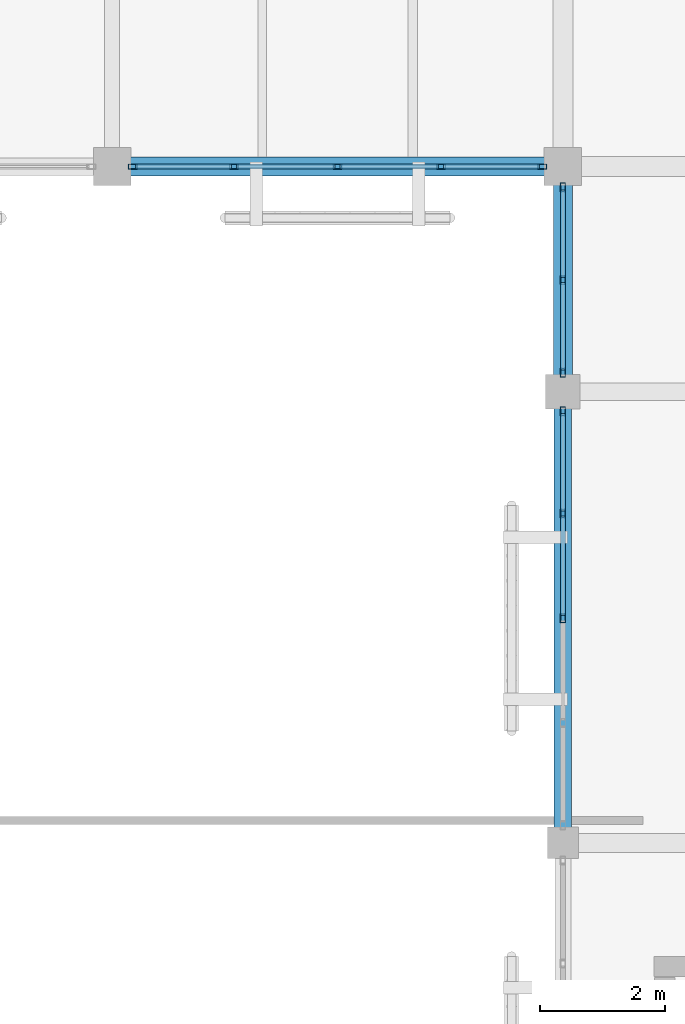
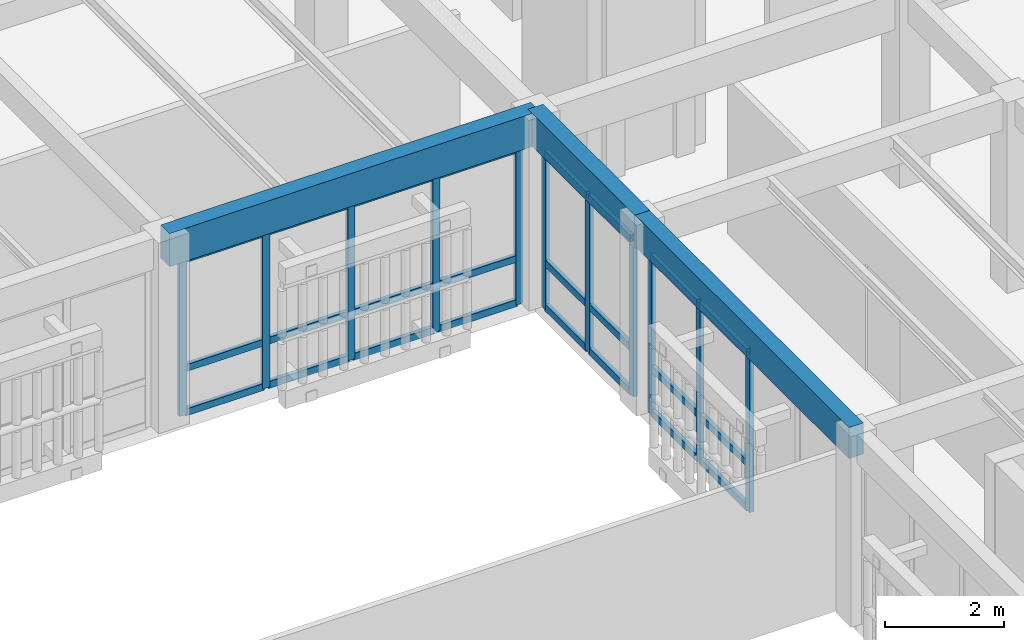
# One storey, part 109 of 170: 35 members, 3 beams, 3 elements without a shape of their own.
"""IFC4 building model written with IfcOpenShell, lengths in metres."""

from ifc_helpers import new_model, si_unit, direction, frame, origin, origin_2d, place, context, subcontext, project, spatial, rectangle, hollow_rectangle, extrude, material, layer, layer_set, material_profile, profile_set, type_object, element, aggregate, save


model = new_model("IFC4")

# Units and contexts
model_context = context("Model", 3, precision=1e-05, world=origin(), true_north=direction((0.0, 1.0)))
body_context = subcontext(model_context, "Body", "Model", "MODEL_VIEW")
ifc_project = project(units=[si_unit("LENGTHUNIT", "METRE"), si_unit("AREAUNIT", "SQUARE_METRE"), si_unit("VOLUMEUNIT", "CUBIC_METRE"), si_unit("PLANEANGLEUNIT", "RADIAN"), si_unit("MASSUNIT", "GRAM", prefix="KILO")], contexts=[model_context])

# Site, building, storey
site_placement = place(None, origin())
site = spatial("IfcSite", under=ifc_project, at=site_placement, CompositionType="ELEMENT")
building_placement = place(site_placement, origin())
building = spatial("IfcBuilding", under=site, at=building_placement, Name="Mazaris Harbour Polytechnic", CompositionType="ELEMENT")
storey_placement = place(building_placement, frame((0.0, 0.0, 5.39990234375)))
storey = spatial("IfcBuildingStorey", under=building, at=storey_placement, Name="L01", CompositionType="ELEMENT", Elevation=5.39990234375)

# Curtain wall, members
ifc_material_1 = material(Name="Anodised Bronze Aluminium and Low-E Glass", Category="aluminium")
ifc_layer = layer(ifc_material_1, 0.169921875, Name="Anodised Bronze Aluminium and Low-E Glass")
ifc_layer_set = layer_set([ifc_layer], Name="Anodised Bronze Aluminium and Low-E Glass")
curtain_wall_type = type_object("IfcCurtainWallType", Name="Studio North-Light Curtain Wall", PredefinedType="NOTDEFINED", material=ifc_layer_set)
curtain_wall_1_placement = place(storey_placement, origin())
curtain_wall_1 = element("IfcCurtainWall", 1, at=curtain_wall_1_placement, inside=storey, type_object=curtain_wall_type, Name="V5 L01 Curtain Wall 218", PredefinedType="NOTDEFINED")
ifc_material_2 = material(Name="Anodised Bronze Steel S355", Category="steel")
ifc_material_profile_1 = material_profile(ifc_material_2, hollow_rectangle(XDim=0.080078125, YDim=0.139892578125, WallThickness=0.00634765625, at=origin_2d()), Name="RHS 80x140x6.3")
ifc_profile_set_1 = profile_set([ifc_material_profile_1], Name="Anodised Bronze Steel S355")
member_type_1 = type_object("IfcMemberType", Name="Curtain Mullion RHS80x140", PredefinedType="MULLION", material=ifc_profile_set_1)
member_1_placement = place(storey_placement, frame((158.068115234375, 86.39990234375, 0.0), z_axis=(0.0, 0.0, 1.0), x_axis=(0.0, -1.0, 0.0)))
member_1 = element("IfcMember", 2, at=member_1_placement, type_object=member_type_1, Name="CW-03 mullion 1", PredefinedType="MULLION", context=body_context, shape_type="SweptSolid", body=[
    extrude(hollow_rectangle(XDim=0.080078125, YDim=0.139892578125, WallThickness=0.00634765625, at=origin_2d()), origin(), (0.0, 0.0, 1.0), 3.22998046875),
])
member_2_placement = place(storey_placement, frame((156.4541015625, 86.39990234375, 0.0), z_axis=(0.0, 0.0, 1.0), x_axis=(0.0, -1.0, 0.0)))
member_2 = element("IfcMember", 3, at=member_2_placement, type_object=member_type_1, Name="CW-03 mullion 2", PredefinedType="MULLION", context=body_context, shape_type="SweptSolid", body=[
    extrude(hollow_rectangle(XDim=0.080078125, YDim=0.139892578125, WallThickness=0.00634765625, at=origin_2d()), origin(), (0.0, 0.0, 1.0), 3.22998046875),
])
member_3_placement = place(storey_placement, frame((154.800048828125, 86.39990234375, 0.0), z_axis=(0.0, 0.0, 1.0), x_axis=(0.0, -1.0, 0.0)))
member_3 = element("IfcMember", 4, at=member_3_placement, type_object=member_type_1, Name="CW-03 mullion 3", PredefinedType="MULLION", context=body_context, shape_type="SweptSolid", body=[
    extrude(hollow_rectangle(XDim=0.080078125, YDim=0.139892578125, WallThickness=0.00634765625, at=origin_2d()), origin(), (0.0, 0.0, 1.0), 3.22998046875),
])
member_4_placement = place(storey_placement, frame((153.14599609375, 86.39990234375, 0.0), z_axis=(0.0, 0.0, 1.0), x_axis=(0.0, -1.0, 0.0)))
member_4 = element("IfcMember", 5, at=member_4_placement, type_object=member_type_1, Name="CW-03 mullion 4", PredefinedType="MULLION", context=body_context, shape_type="SweptSolid", body=[
    extrude(hollow_rectangle(XDim=0.080078125, YDim=0.139892578125, WallThickness=0.00634765625, at=origin_2d()), origin(), (0.0, 0.0, 1.0), 3.22998046875),
])
member_5_placement = place(storey_placement, frame((151.531982421875, 86.39990234375, 0.0), z_axis=(0.0, 0.0, 1.0), x_axis=(0.0, -1.0, 0.0)))
member_5 = element("IfcMember", 6, at=member_5_placement, type_object=member_type_1, Name="CW-03 mullion 5", PredefinedType="MULLION", context=body_context, shape_type="SweptSolid", body=[
    extrude(hollow_rectangle(XDim=0.080078125, YDim=0.139892578125, WallThickness=0.00634765625, at=origin_2d()), origin(), (0.0, 0.0, 1.0), 3.22998046875),
])

curtain_wall_2_placement = place(storey_placement, origin())
curtain_wall_2 = element("IfcCurtainWall", 7, at=curtain_wall_2_placement, inside=storey, type_object=curtain_wall_type, Name="V5 L01 Curtain Wall 225", PredefinedType="NOTDEFINED")
member_6_placement = place(storey_placement, frame((158.39990234375, 82.492919921875, 0.0), z_axis=(0.0, 0.0, 1.0), x_axis=(1.0, 0.0, 0.0)))
member_6 = element("IfcMember", 8, at=member_6_placement, type_object=member_type_1, Name="CW-03 mullion 1", PredefinedType="MULLION", context=body_context, shape_type="SweptSolid", body=[
    extrude(hollow_rectangle(XDim=0.080078125, YDim=0.139892578125, WallThickness=0.00634765625, at=origin_2d()), origin(), (0.0, 0.0, 1.0), 3.27001953125),
])
member_7_placement = place(storey_placement, frame((158.39990234375, 80.8603515625, 0.0), z_axis=(0.0, 0.0, 1.0), x_axis=(1.0, 0.0, 0.0)))
member_7 = element("IfcMember", 9, at=member_7_placement, type_object=member_type_1, Name="CW-03 mullion 2", PredefinedType="MULLION", context=body_context, shape_type="SweptSolid", body=[
    extrude(hollow_rectangle(XDim=0.080078125, YDim=0.139892578125, WallThickness=0.00634765625, at=origin_2d()), origin(), (0.0, 0.0, 1.0), 3.27001953125),
])
member_8_placement = place(storey_placement, frame((158.39990234375, 79.1875, 0.0), z_axis=(0.0, 0.0, 1.0), x_axis=(1.0, 0.0, 0.0)))
member_8 = element("IfcMember", 10, at=member_8_placement, type_object=member_type_1, Name="CW-03 mullion 3", PredefinedType="MULLION", context=body_context, shape_type="SweptSolid", body=[
    extrude(hollow_rectangle(XDim=0.080078125, YDim=0.139892578125, WallThickness=0.00634765625, at=origin_2d()), origin(), (0.0, 0.0, 1.0), 3.27001953125),
])

curtain_wall_3_placement = place(storey_placement, origin())
curtain_wall_3 = element("IfcCurtainWall", 11, at=curtain_wall_3_placement, inside=storey, type_object=curtain_wall_type, Name="V5 L01 Curtain Wall 226", PredefinedType="NOTDEFINED")
member_9_placement = place(storey_placement, frame((158.39990234375, 86.068115234375, 0.0), z_axis=(0.0, 0.0, 1.0), x_axis=(1.0, 0.0, 0.0)))
member_9 = element("IfcMember", 12, at=member_9_placement, type_object=member_type_1, Name="CW-03 mullion 1", PredefinedType="MULLION", context=body_context, shape_type="SweptSolid", body=[
    extrude(hollow_rectangle(XDim=0.080078125, YDim=0.139892578125, WallThickness=0.00634765625, at=origin_2d()), origin(), (0.0, 0.0, 1.0), 3.22998046875),
])
member_10_placement = place(storey_placement, frame((158.39990234375, 84.58740234375, 0.0), z_axis=(0.0, 0.0, 1.0), x_axis=(1.0, 0.0, 0.0)))
member_10 = element("IfcMember", 13, at=member_10_placement, type_object=member_type_1, Name="CW-03 mullion 2", PredefinedType="MULLION", context=body_context, shape_type="SweptSolid", body=[
    extrude(hollow_rectangle(XDim=0.080078125, YDim=0.139892578125, WallThickness=0.00634765625, at=origin_2d()), origin(), (0.0, 0.0, 1.0), 3.22998046875),
])
member_11_placement = place(storey_placement, frame((158.39990234375, 83.10693359375, 0.0), z_axis=(0.0, 0.0, 1.0), x_axis=(1.0, 0.0, 0.0)))
member_11 = element("IfcMember", 14, at=member_11_placement, type_object=member_type_1, Name="CW-03 mullion 3", PredefinedType="MULLION", context=body_context, shape_type="SweptSolid", body=[
    extrude(hollow_rectangle(XDim=0.080078125, YDim=0.139892578125, WallThickness=0.00634765625, at=origin_2d()), origin(), (0.0, 0.0, 1.0), 3.22998046875),
])

# Member
ifc_material_3 = material(Name="Anodised Bronze Steel S355", Category="steel")
ifc_material_profile_2 = material_profile(ifc_material_3, hollow_rectangle(XDim=0.080078125, YDim=0.139892578125, WallThickness=0.00634765625, at=origin_2d()), Name="RHS 80x140x6.3")
ifc_profile_set_2 = profile_set([ifc_material_profile_2], Name="Anodised Bronze Steel S355")
member_type_2 = type_object("IfcMemberType", Name="Curtain Transom RHS80x140", PredefinedType="USERDEFINED", material=ifc_profile_set_2)
member_12_placement = place(storey_placement, frame((158.028076171875, 86.39990234375, 0.0400390625), z_axis=(-1.0, 0.0, 0.0), x_axis=(0.0, -1.0, 0.0)))
member_12 = element("IfcMember", 15, at=member_12_placement, type_object=member_type_2, Name="CW-03 transom 1.1", ObjectType="TRANSOM", PredefinedType="USERDEFINED", context=body_context, shape_type="SweptSolid", body=[
    extrude(hollow_rectangle(XDim=0.080078125, YDim=0.139892578125, WallThickness=0.00634765625, at=origin_2d()), origin(), (0.0, 0.0, 1.0), 1.5341796875),
])

member_13_placement = place(storey_placement, frame((158.028076171875, 86.39990234375, 0.9501953125), z_axis=(-1.0, 0.0, 0.0), x_axis=(0.0, -1.0, 0.0)))
member_13 = element("IfcMember", 16, at=member_13_placement, type_object=member_type_2, Name="CW-03 transom 1.2", ObjectType="TRANSOM", PredefinedType="USERDEFINED", context=body_context, shape_type="SweptSolid", body=[
    extrude(hollow_rectangle(XDim=0.080078125, YDim=0.139892578125, WallThickness=0.00634765625, at=origin_2d()), origin(), (0.0, 0.0, 1.0), 1.5341796875),
])

member_14_placement = place(storey_placement, frame((158.028076171875, 86.39990234375, 3.190185546875), z_axis=(-1.0, 0.0, 0.0), x_axis=(0.0, -1.0, 0.0)))
member_14 = element("IfcMember", 17, at=member_14_placement, type_object=member_type_2, Name="CW-03 transom 1.3", ObjectType="TRANSOM", PredefinedType="USERDEFINED", context=body_context, shape_type="SweptSolid", body=[
    extrude(hollow_rectangle(XDim=0.080078125, YDim=0.139892578125, WallThickness=0.00634765625, at=origin_2d()), origin(), (0.0, 0.0, 1.0), 1.5341796875),
])

member_15_placement = place(storey_placement, frame((156.4140625, 86.39990234375, 0.0400390625), z_axis=(-1.0, 0.0, 0.0), x_axis=(0.0, -1.0, 0.0)))
member_15 = element("IfcMember", 18, at=member_15_placement, type_object=member_type_2, Name="CW-03 transom 2.1", ObjectType="TRANSOM", PredefinedType="USERDEFINED", context=body_context, shape_type="SweptSolid", body=[
    extrude(hollow_rectangle(XDim=0.080078125, YDim=0.139892578125, WallThickness=0.00634765625, at=origin_2d()), origin(), (0.0, 0.0, 1.0), 1.573974609375),
])

member_16_placement = place(storey_placement, frame((156.4140625, 86.39990234375, 0.9501953125), z_axis=(-1.0, 0.0, 0.0), x_axis=(0.0, -1.0, 0.0)))
member_16 = element("IfcMember", 19, at=member_16_placement, type_object=member_type_2, Name="CW-03 transom 2.2", ObjectType="TRANSOM", PredefinedType="USERDEFINED", context=body_context, shape_type="SweptSolid", body=[
    extrude(hollow_rectangle(XDim=0.080078125, YDim=0.139892578125, WallThickness=0.00634765625, at=origin_2d()), origin(), (0.0, 0.0, 1.0), 1.573974609375),
])

member_17_placement = place(storey_placement, frame((156.4140625, 86.39990234375, 3.190185546875), z_axis=(-1.0, 0.0, 0.0), x_axis=(0.0, -1.0, 0.0)))
member_17 = element("IfcMember", 20, at=member_17_placement, type_object=member_type_2, Name="CW-03 transom 2.3", ObjectType="TRANSOM", PredefinedType="USERDEFINED", context=body_context, shape_type="SweptSolid", body=[
    extrude(hollow_rectangle(XDim=0.080078125, YDim=0.139892578125, WallThickness=0.00634765625, at=origin_2d()), origin(), (0.0, 0.0, 1.0), 1.573974609375),
])

member_18_placement = place(storey_placement, frame((154.760009765625, 86.39990234375, 0.0400390625), z_axis=(-1.0, 0.0, 0.0), x_axis=(0.0, -1.0, 0.0)))
member_18 = element("IfcMember", 21, at=member_18_placement, type_object=member_type_2, Name="CW-03 transom 3.1", ObjectType="TRANSOM", PredefinedType="USERDEFINED", context=body_context, shape_type="SweptSolid", body=[
    extrude(hollow_rectangle(XDim=0.080078125, YDim=0.139892578125, WallThickness=0.00634765625, at=origin_2d()), origin(), (0.0, 0.0, 1.0), 1.573974609375),
])

member_19_placement = place(storey_placement, frame((154.760009765625, 86.39990234375, 0.9501953125), z_axis=(-1.0, 0.0, 0.0), x_axis=(0.0, -1.0, 0.0)))
member_19 = element("IfcMember", 22, at=member_19_placement, type_object=member_type_2, Name="CW-03 transom 3.2", ObjectType="TRANSOM", PredefinedType="USERDEFINED", context=body_context, shape_type="SweptSolid", body=[
    extrude(hollow_rectangle(XDim=0.080078125, YDim=0.139892578125, WallThickness=0.00634765625, at=origin_2d()), origin(), (0.0, 0.0, 1.0), 1.573974609375),
])

member_20_placement = place(storey_placement, frame((154.760009765625, 86.39990234375, 3.190185546875), z_axis=(-1.0, 0.0, 0.0), x_axis=(0.0, -1.0, 0.0)))
member_20 = element("IfcMember", 23, at=member_20_placement, type_object=member_type_2, Name="CW-03 transom 3.3", ObjectType="TRANSOM", PredefinedType="USERDEFINED", context=body_context, shape_type="SweptSolid", body=[
    extrude(hollow_rectangle(XDim=0.080078125, YDim=0.139892578125, WallThickness=0.00634765625, at=origin_2d()), origin(), (0.0, 0.0, 1.0), 1.573974609375),
])

member_21_placement = place(storey_placement, frame((153.10595703125, 86.39990234375, 0.0400390625), z_axis=(-1.0, 0.0, 0.0), x_axis=(0.0, -1.0, 0.0)))
member_21 = element("IfcMember", 24, at=member_21_placement, type_object=member_type_2, Name="CW-03 transom 4.1", ObjectType="TRANSOM", PredefinedType="USERDEFINED", context=body_context, shape_type="SweptSolid", body=[
    extrude(hollow_rectangle(XDim=0.080078125, YDim=0.139892578125, WallThickness=0.00634765625, at=origin_2d()), origin(), (0.0, 0.0, 1.0), 1.533935546875),
])

member_22_placement = place(storey_placement, frame((153.10595703125, 86.39990234375, 0.9501953125), z_axis=(-1.0, 0.0, 0.0), x_axis=(0.0, -1.0, 0.0)))
member_22 = element("IfcMember", 25, at=member_22_placement, type_object=member_type_2, Name="CW-03 transom 4.2", ObjectType="TRANSOM", PredefinedType="USERDEFINED", context=body_context, shape_type="SweptSolid", body=[
    extrude(hollow_rectangle(XDim=0.080078125, YDim=0.139892578125, WallThickness=0.00634765625, at=origin_2d()), origin(), (0.0, 0.0, 1.0), 1.533935546875),
])

member_23_placement = place(storey_placement, frame((153.10595703125, 86.39990234375, 3.190185546875), z_axis=(-1.0, 0.0, 0.0), x_axis=(0.0, -1.0, 0.0)))
member_23 = element("IfcMember", 26, at=member_23_placement, type_object=member_type_2, Name="CW-03 transom 4.3", ObjectType="TRANSOM", PredefinedType="USERDEFINED", context=body_context, shape_type="SweptSolid", body=[
    extrude(hollow_rectangle(XDim=0.080078125, YDim=0.139892578125, WallThickness=0.00634765625, at=origin_2d()), origin(), (0.0, 0.0, 1.0), 1.533935546875),
])

aggregate(curtain_wall_1, [member_1, member_2, member_3, member_4, member_5, member_12, member_13, member_14, member_15, member_16, member_17, member_18, member_19, member_20, member_21, member_22, member_23])

member_24_placement = place(storey_placement, frame((158.39990234375, 82.452880859375, 0.0400390625), z_axis=(0.0, -1.0, 0.0), x_axis=(1.0, 0.0, 0.0)))
member_24 = element("IfcMember", 27, at=member_24_placement, type_object=member_type_2, Name="CW-03 transom 1.1", ObjectType="TRANSOM", PredefinedType="USERDEFINED", context=body_context, shape_type="SweptSolid", body=[
    extrude(hollow_rectangle(XDim=0.080078125, YDim=0.139892578125, WallThickness=0.00634765625, at=origin_2d()), origin(), (0.0, 0.0, 1.0), 1.552734375),
])

member_25_placement = place(storey_placement, frame((158.39990234375, 82.452880859375, 0.9501953125), z_axis=(0.0, -1.0, 0.0), x_axis=(1.0, 0.0, 0.0)))
member_25 = element("IfcMember", 28, at=member_25_placement, type_object=member_type_2, Name="CW-03 transom 1.2", ObjectType="TRANSOM", PredefinedType="USERDEFINED", context=body_context, shape_type="SweptSolid", body=[
    extrude(hollow_rectangle(XDim=0.080078125, YDim=0.139892578125, WallThickness=0.00634765625, at=origin_2d()), origin(), (0.0, 0.0, 1.0), 1.552734375),
])

member_26_placement = place(storey_placement, frame((158.39990234375, 82.452880859375, 3.22998046875), z_axis=(0.0, -1.0, 0.0), x_axis=(1.0, 0.0, 0.0)))
member_26 = element("IfcMember", 29, at=member_26_placement, type_object=member_type_2, Name="CW-03 transom 1.3", ObjectType="TRANSOM", PredefinedType="USERDEFINED", context=body_context, shape_type="SweptSolid", body=[
    extrude(hollow_rectangle(XDim=0.080078125, YDim=0.139892578125, WallThickness=0.00634765625, at=origin_2d()), origin(), (0.0, 0.0, 1.0), 1.552734375),
])

member_27_placement = place(storey_placement, frame((158.39990234375, 80.8203125, 0.0400390625), z_axis=(0.0, -1.0, 0.0), x_axis=(1.0, 0.0, 0.0)))
member_27 = element("IfcMember", 30, at=member_27_placement, type_object=member_type_2, Name="CW-03 transom 2.1", ObjectType="TRANSOM", PredefinedType="USERDEFINED", context=body_context, shape_type="SweptSolid", body=[
    extrude(hollow_rectangle(XDim=0.080078125, YDim=0.139892578125, WallThickness=0.00634765625, at=origin_2d()), origin(), (0.0, 0.0, 1.0), 1.5927734375),
])

member_28_placement = place(storey_placement, frame((158.39990234375, 80.8203125, 0.9501953125), z_axis=(0.0, -1.0, 0.0), x_axis=(1.0, 0.0, 0.0)))
member_28 = element("IfcMember", 31, at=member_28_placement, type_object=member_type_2, Name="CW-03 transom 2.2", ObjectType="TRANSOM", PredefinedType="USERDEFINED", context=body_context, shape_type="SweptSolid", body=[
    extrude(hollow_rectangle(XDim=0.080078125, YDim=0.139892578125, WallThickness=0.00634765625, at=origin_2d()), origin(), (0.0, 0.0, 1.0), 1.5927734375),
])

member_29_placement = place(storey_placement, frame((158.39990234375, 80.8203125, 3.22998046875), z_axis=(0.0, -1.0, 0.0), x_axis=(1.0, 0.0, 0.0)))
member_29 = element("IfcMember", 32, at=member_29_placement, type_object=member_type_2, Name="CW-03 transom 2.3", ObjectType="TRANSOM", PredefinedType="USERDEFINED", context=body_context, shape_type="SweptSolid", body=[
    extrude(hollow_rectangle(XDim=0.080078125, YDim=0.139892578125, WallThickness=0.00634765625, at=origin_2d()), origin(), (0.0, 0.0, 1.0), 1.5927734375),
])

aggregate(curtain_wall_2, [member_6, member_7, member_8, member_24, member_25, member_26, member_27, member_28, member_29])

member_30_placement = place(storey_placement, frame((158.39990234375, 86.028076171875, 0.0400390625), z_axis=(0.0, -1.0, 0.0), x_axis=(1.0, 0.0, 0.0)))
member_30 = element("IfcMember", 33, at=member_30_placement, type_object=member_type_2, Name="CW-03 transom 1.1", ObjectType="TRANSOM", PredefinedType="USERDEFINED", context=body_context, shape_type="SweptSolid", body=[
    extrude(hollow_rectangle(XDim=0.080078125, YDim=0.139892578125, WallThickness=0.00634765625, at=origin_2d()), origin(), (0.0, 0.0, 1.0), 1.400634765625),
])

member_31_placement = place(storey_placement, frame((158.39990234375, 86.028076171875, 0.9501953125), z_axis=(0.0, -1.0, 0.0), x_axis=(1.0, 0.0, 0.0)))
member_31 = element("IfcMember", 34, at=member_31_placement, type_object=member_type_2, Name="CW-03 transom 1.2", ObjectType="TRANSOM", PredefinedType="USERDEFINED", context=body_context, shape_type="SweptSolid", body=[
    extrude(hollow_rectangle(XDim=0.080078125, YDim=0.139892578125, WallThickness=0.00634765625, at=origin_2d()), origin(), (0.0, 0.0, 1.0), 1.400634765625),
])

member_32_placement = place(storey_placement, frame((158.39990234375, 86.028076171875, 3.190185546875), z_axis=(0.0, -1.0, 0.0), x_axis=(1.0, 0.0, 0.0)))
member_32 = element("IfcMember", 35, at=member_32_placement, type_object=member_type_2, Name="CW-03 transom 1.3", ObjectType="TRANSOM", PredefinedType="USERDEFINED", context=body_context, shape_type="SweptSolid", body=[
    extrude(hollow_rectangle(XDim=0.080078125, YDim=0.139892578125, WallThickness=0.00634765625, at=origin_2d()), origin(), (0.0, 0.0, 1.0), 1.400634765625),
])

member_33_placement = place(storey_placement, frame((158.39990234375, 84.547607421875, 0.0400390625), z_axis=(0.0, -1.0, 0.0), x_axis=(1.0, 0.0, 0.0)))
member_33 = element("IfcMember", 36, at=member_33_placement, type_object=member_type_2, Name="CW-03 transom 2.1", ObjectType="TRANSOM", PredefinedType="USERDEFINED", context=body_context, shape_type="SweptSolid", body=[
    extrude(hollow_rectangle(XDim=0.080078125, YDim=0.139892578125, WallThickness=0.00634765625, at=origin_2d()), origin(), (0.0, 0.0, 1.0), 1.400634765625),
])

member_34_placement = place(storey_placement, frame((158.39990234375, 84.547607421875, 0.9501953125), z_axis=(0.0, -1.0, 0.0), x_axis=(1.0, 0.0, 0.0)))
member_34 = element("IfcMember", 37, at=member_34_placement, type_object=member_type_2, Name="CW-03 transom 2.2", ObjectType="TRANSOM", PredefinedType="USERDEFINED", context=body_context, shape_type="SweptSolid", body=[
    extrude(hollow_rectangle(XDim=0.080078125, YDim=0.139892578125, WallThickness=0.00634765625, at=origin_2d()), origin(), (0.0, 0.0, 1.0), 1.400634765625),
])

member_35_placement = place(storey_placement, frame((158.39990234375, 84.547607421875, 3.190185546875), z_axis=(0.0, -1.0, 0.0), x_axis=(1.0, 0.0, 0.0)))
member_35 = element("IfcMember", 38, at=member_35_placement, type_object=member_type_2, Name="CW-03 transom 2.3", ObjectType="TRANSOM", PredefinedType="USERDEFINED", context=body_context, shape_type="SweptSolid", body=[
    extrude(hollow_rectangle(XDim=0.080078125, YDim=0.139892578125, WallThickness=0.00634765625, at=origin_2d()), origin(), (0.0, 0.0, 1.0), 1.400634765625),
])

aggregate(curtain_wall_3, [member_9, member_10, member_11, member_30, member_31, member_32, member_33, member_34, member_35])

# Beams
ifc_material_4 = material(Name="Glulam GL32h", Category="wood")
ifc_material_profile_3 = material_profile(ifc_material_4, rectangle(XDim=0.280029296875, YDim=0.639892578125, at=origin_2d()), Name="RECT280x640")
ifc_profile_set_3 = profile_set([ifc_material_profile_3], Name="Glulam GL32h")
beam_type_1 = type_object("IfcBeamType", Name="Glulam Girder 280x640", PredefinedType="BEAM", material=ifc_profile_set_3)
beam_1_placement = place(storey_placement, frame((158.39990234375, 75.60009765625, 3.60009765625), z_axis=(0.0, 1.0, 0.0), x_axis=(-1.0, 0.0, 0.0)))
element("IfcBeam", 39, at=beam_1_placement, inside=storey, type_object=beam_type_1, Name="V5 L01 Tie Girder 3007", PredefinedType="BEAM", context=body_context, shape_type="SweptSolid", body=[
    extrude(rectangle(XDim=0.280029296875, YDim=0.639892578125, at=origin_2d()), origin(), (0.0, 0.0, 1.0), 7.199951171875),
])
ifc_material_5 = material(Name="Glulam GL32h", Category="wood")
ifc_material_profile_4 = material_profile(ifc_material_5, rectangle(XDim=0.300048828125, YDim=0.679931640625, at=origin_2d()), Name="RECT300x680")
ifc_profile_set_4 = profile_set([ifc_material_profile_4], Name="Glulam GL32h")
beam_type_2 = type_object("IfcBeamType", Name="Glulam Girder 300x680", PredefinedType="BEAM", material=ifc_profile_set_4)
beam_2_placement = place(storey_placement, frame((151.199951171875, 86.39990234375, 3.580078125), z_axis=(1.0, 0.0, 0.0), x_axis=(0.0, 1.0, 0.0)))
element("IfcBeam", 40, at=beam_2_placement, inside=storey, type_object=beam_type_2, Name="V5 L01 Girder 2943", PredefinedType="BEAM", context=body_context, shape_type="SweptSolid", body=[
    extrude(rectangle(XDim=0.300048828125, YDim=0.679931640625, at=origin_2d()), origin(), (0.0, 0.0, 1.0), 7.199951171875),
])
beam_3_placement = place(storey_placement, frame((158.39990234375, 82.800048828125, 3.580078125), z_axis=(0.0, 1.0, 0.0), x_axis=(-1.0, 0.0, 0.0)))
element("IfcBeam", 41, at=beam_3_placement, inside=storey, type_object=beam_type_2, Name="V5 L01 Tie Girder 3008", PredefinedType="BEAM", context=body_context, shape_type="SweptSolid", body=[
    extrude(rectangle(XDim=0.300048828125, YDim=0.679931640625, at=origin_2d()), origin(), (0.0, 0.0, 1.0), 3.599853515625),
])

save(model, "model.ifc")
